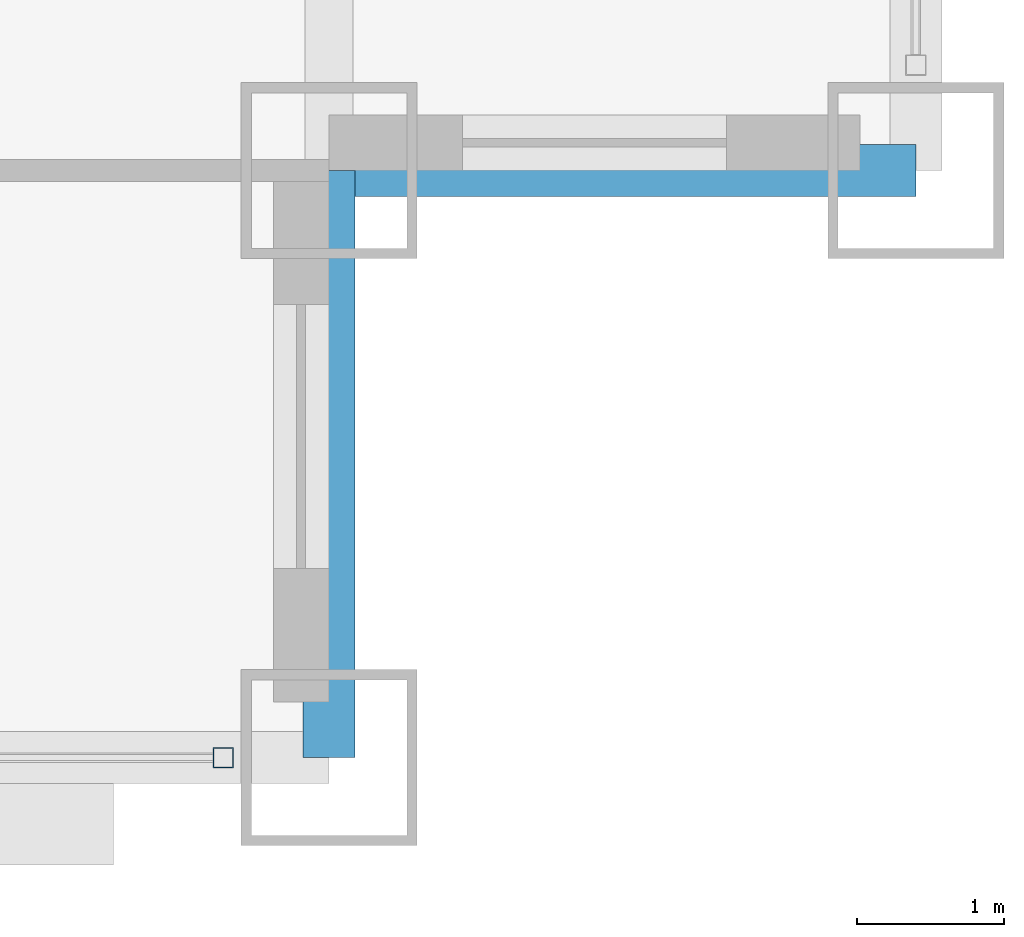
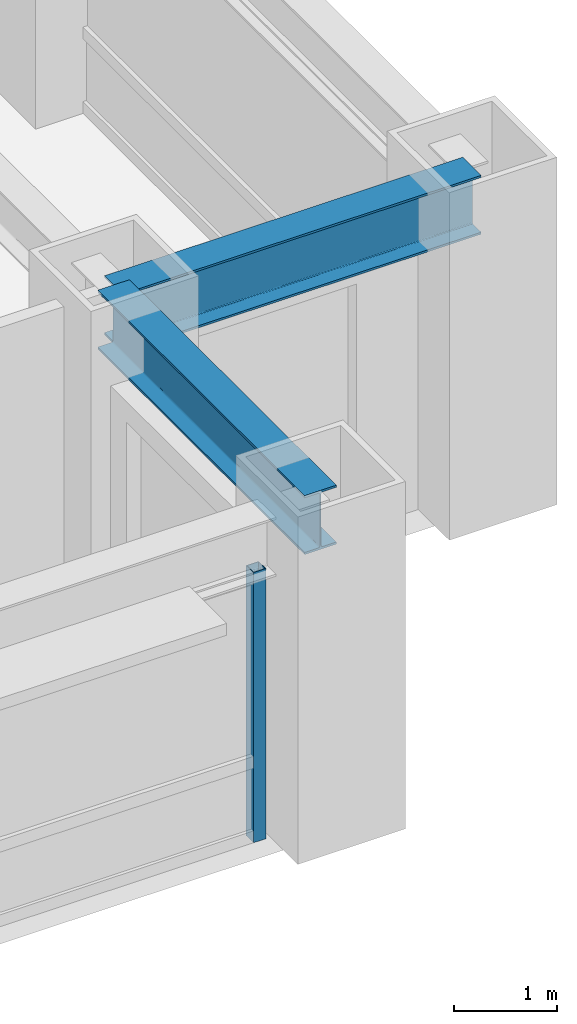
# One storey, part 6 of 32: 2 beams, 1 member, 1 element without a shape of its own.
"""IFC4 building model written with IfcOpenShell, lengths in metres."""

import ifcopenshell
import ifcopenshell.guid

model = None  # the IFC model being written
_history = None  # IfcOwnerHistory: only IFC2X3 demands one
_inside = {}  # id of a spatial element -> (the spatial element, [elements in it])
_under = {}  # id of a project, library or spatial element -> (it, [spatial elements below it])
_declared = {}  # id of a project -> (the project, [libraries it declares])
_typed = {}  # id of a type object -> (the type object, [elements of that type])
_made_of = {}  # id of a material, layer set ... -> (it, [elements and type objects made of it])


def new_model(schema):
    """Start an empty IFC model of exactly this schema.

    Asked for "IFC4X3", IfcOpenShell would pick the latest addendum, in which some entities
    have other attributes; the version numbers below select the first issue.
    IFC2X3 requires an IfcOwnerHistory on every rooted entity: one is made here for all.
    """
    global model, _history
    if schema == "IFC4X3":
        model = ifcopenshell.file(schema_version=(4, 3, 0, 0))
    else:
        model = ifcopenshell.file(schema=schema)
    _inside.clear()
    _under.clear()
    _declared.clear()
    _typed.clear()
    _made_of.clear()
    _history = None
    if model.schema == "IFC2X3":
        org = make("IfcOrganization", Name="unknown")
        user = make(
            "IfcPersonAndOrganization",
            ThePerson=make("IfcPerson", FamilyName="unknown"),
            TheOrganization=org,
        )
        app = make(
            "IfcApplication",
            ApplicationDeveloper=org,
            Version="unknown",
            ApplicationFullName="unknown",
            ApplicationIdentifier="unknown",
        )
        _history = make(
            "IfcOwnerHistory",
            OwningUser=user,
            OwningApplication=app,
            ChangeAction="ADDED",
            CreationDate=0,
        )
    return model


def make(cls, **values):
    """One entity of the class cls with the attributes given. An attribute that is None is left unset."""
    return model.create_entity(
        cls, **{name: value for name, value in values.items() if value is not None}
    )


def rooted(cls, **values):
    """An entity with a GlobalId (a new one), such as an element, a storey or a relation."""
    return make(cls, GlobalId=ifcopenshell.guid.new(), OwnerHistory=_history, **values)


def si_unit(unit_type, name, prefix=None):
    """IfcSIUnit, for example si_unit("LENGTHUNIT", "METRE", prefix="MILLI")."""
    return make("IfcSIUnit", UnitType=unit_type, Prefix=prefix, Name=name)


def assignment(units):
    """IfcUnitAssignment: the units of a project."""
    return None if units is None else make("IfcUnitAssignment", Units=units)


def point(xyz):
    """IfcCartesianPoint."""
    return None if xyz is None else make("IfcCartesianPoint", Coordinates=xyz)


def direction(xyz):
    """IfcDirection."""
    return None if xyz is None else make("IfcDirection", DirectionRatios=xyz)


def frame(location, z_axis=None, x_axis=None):
    """IfcAxis2Placement3D, a coordinate frame: its origin and axes. An axis left out is left unset."""
    return make(
        "IfcAxis2Placement3D",
        Location=point(location),
        Axis=direction(z_axis),
        RefDirection=direction(x_axis),
    )


def frame_2d(location, x_axis=None):
    """IfcAxis2Placement2D, a coordinate frame in the plane: its origin and x axis."""
    return make(
        "IfcAxis2Placement2D", Location=point(location), RefDirection=direction(x_axis)
    )


def origin():
    """The frame at (0, 0, 0) with its axes left unset."""
    return frame((0.0, 0.0, 0.0))


def origin_2d():
    """The frame at (0, 0) in the plane with its x axis left unset."""
    return frame_2d((0.0, 0.0))


def place(relative_to, where):
    """IfcLocalPlacement: puts the frame where relative to a parent placement (None: the world)."""
    return make(
        "IfcLocalPlacement", PlacementRelTo=relative_to, RelativePlacement=where
    )


def context(
    kind, dimensions, precision=None, world=None, true_north=None, identifier=None
):
    """IfcGeometricRepresentationContext, for example the 3D "Model" context."""
    return make(
        "IfcGeometricRepresentationContext",
        ContextIdentifier=identifier,
        ContextType=kind,
        CoordinateSpaceDimension=dimensions,
        Precision=precision,
        WorldCoordinateSystem=world,
        TrueNorth=true_north,
    )


def subcontext(parent, identifier, kind, view, scale=None):
    """IfcGeometricRepresentationSubContext, for example "Body" below "Model"."""
    return make(
        "IfcGeometricRepresentationSubContext",
        ContextIdentifier=identifier,
        ContextType=kind,
        ParentContext=parent,
        TargetScale=scale,
        TargetView=view,
    )


def project(units=None, contexts=None):
    """IfcProject with its units and contexts."""
    return rooted(
        "IfcProject",
        Name="project",
        RepresentationContexts=contexts,
        UnitsInContext=assignment(units),
    )


def spatial(cls, under=None, at=None, **own):
    """A site, building, storey or space (cls), placed at a placement, below another one or the project."""
    s = rooted(cls, ObjectPlacement=at, **own)
    if under is not None:
        _under.setdefault(under.id(), (under, []))[1].append(s)
    return s


def profile(cls, at=None, kind="AREA", **sizes):
    """A parametric profile (cls). Its sizes go by their IFC names, for example OverallWidth=200.0."""
    return make(cls, ProfileType=kind, Position=at, **sizes)


def hollow_rectangle(**sizes):
    """IfcRectangleHollowProfileDef."""
    return profile("IfcRectangleHollowProfileDef", **sizes)


def i_section(**sizes):
    """IfcIShapeProfileDef."""
    return profile("IfcIShapeProfileDef", **sizes)


def extrude(swept, where, along, depth):
    """IfcExtrudedAreaSolid: the profile swept, set in the frame where, extruded along a direction by depth."""
    return make(
        "IfcExtrudedAreaSolid",
        SweptArea=swept,
        Position=where,
        ExtrudedDirection=direction(along),
        Depth=depth,
    )


def shape(context_of_items, identifier, shape_type, items):
    """IfcShapeRepresentation: the items that make up one representation, for example the "Body"."""
    return make(
        "IfcShapeRepresentation",
        ContextOfItems=context_of_items,
        RepresentationIdentifier=identifier,
        RepresentationType=shape_type,
        Items=items,
    )


def source(mapping_origin, context_of_items, identifier, shape_type, items):
    """IfcRepresentationMap: a shape defined once, which mapped items show again and again."""
    return make(
        "IfcRepresentationMap",
        MappingOrigin=mapping_origin,
        MappedRepresentation=shape(context_of_items, identifier, shape_type, items),
    )


def transform(
    local_origin,
    x_axis=None,
    y_axis=None,
    z_axis=None,
    scale=None,
    scale2=None,
    scale3=None,
    uniform=True,
):
    """IfcCartesianTransformationOperator3D, or its non-uniform kind. x_axis, y_axis, z_axis: its Axis1, 2, 3."""
    if uniform:
        return make(
            "IfcCartesianTransformationOperator3D",
            Axis1=direction(x_axis),
            Axis2=direction(y_axis),
            LocalOrigin=point(local_origin),
            Scale=scale,
            Axis3=direction(z_axis),
        )
    return make(
        "IfcCartesianTransformationOperator3DnonUniform",
        Axis1=direction(x_axis),
        Axis2=direction(y_axis),
        LocalOrigin=point(local_origin),
        Scale=scale,
        Axis3=direction(z_axis),
        Scale2=scale2,
        Scale3=scale3,
    )


def mapped(mapping_source, mapping_target):
    """IfcMappedItem: shows the shape of a source again, moved by a transform."""
    return make(
        "IfcMappedItem", MappingSource=mapping_source, MappingTarget=mapping_target
    )


def material(Name=None, Category=None):
    """IfcMaterial."""
    return make("IfcMaterial", Name=Name, Category=Category)


def material_profile(
    of_material, cross_section, Name=None, Category=None, Priority=None
):
    """IfcMaterialProfile: a cross section and its material."""
    return make(
        "IfcMaterialProfile",
        Name=Name,
        Material=of_material,
        Profile=cross_section,
        Priority=Priority,
        Category=Category,
    )


def profile_set(profiles, Name=None, composite=None):
    """IfcMaterialProfileSet."""
    return make(
        "IfcMaterialProfileSet",
        Name=Name,
        MaterialProfiles=profiles,
        CompositeProfile=composite,
    )


def made_of(thing, what):
    """Note that an element or type object is made of a material, layer set ...; save() writes the relation."""
    if what is not None:
        _made_of.setdefault(what.id(), (what, []))[1].append(thing)
    return thing


def type_object(cls, material=None, **own):
    """A type object (cls), such as IfcWallType, which elements share."""
    return made_of(rooted(cls, **own), material)


def element(
    cls,
    number,
    at=None,
    inside=None,
    cuts=None,
    type_object=None,
    material=None,
    context=None,
    identifier="Body",
    shape_type=None,
    held_by="IfcProductDefinitionShape",
    body=None,
    shapes=None,
    **own,
):
    """One element of the class cls, such as IfcWall. Its Tag is "e" and its number.

    at: its placement. inside: the storey or other place that contains it. cuts: it is an
    opening in that element (IfcRelVoidsElement). A single representation is given by context,
    identifier, shape_type and body (its items); several are given by shapes. held_by: the class
    of the entity that holds the representations. save() writes the other relations.
    """
    e = rooted(cls, Tag="e%d" % number, ObjectPlacement=at, **own)
    if body is not None:
        shapes = [shape(context, identifier, shape_type, body)]
    if shapes is not None:
        e.Representation = make(held_by, Representations=shapes)
    if inside is not None:
        _inside.setdefault(inside.id(), (inside, []))[1].append(e)
    if cuts is not None:
        rooted(
            "IfcRelVoidsElement", RelatingBuildingElement=cuts, RelatedOpeningElement=e
        )
    if type_object is not None:
        _typed.setdefault(type_object.id(), (type_object, []))[1].append(e)
    return made_of(e, material)


def aggregate(whole, parts):
    """IfcRelAggregates: a whole, such as a stair, and the parts it consists of."""
    return rooted("IfcRelAggregates", RelatingObject=whole, RelatedObjects=parts)


def save(model, path):
    """Write the relations noted so far, then the file.

    IfcRelAggregates (storeys below a building ...), IfcRelContainedInSpatialStructure (elements
    in a storey), IfcRelDefinesByType, IfcRelAssociatesMaterial and IfcRelDeclares: one each for
    every whole, place, type object, material and project.
    """
    for whole, parts in _under.values():
        aggregate(whole, parts)
    for where, things in _inside.values():
        rooted(
            "IfcRelContainedInSpatialStructure",
            RelatedElements=things,
            RelatingStructure=where,
        )
    for kind, things in _typed.values():
        rooted("IfcRelDefinesByType", RelatedObjects=things, RelatingType=kind)
    for what, things in _made_of.values():
        rooted("IfcRelAssociatesMaterial", RelatedObjects=things, RelatingMaterial=what)
    for by, libraries in _declared.values():
        rooted("IfcRelDeclares", RelatingContext=by, RelatedDefinitions=libraries)
    model.write(path)


model = new_model("IFC4")

# Units and contexts
model_context = context("Model", 3, precision=1e-05, world=origin(), true_north=direction((0.0, 1.0)))
body_context = subcontext(model_context, "Body", "Model", "MODEL_VIEW")
ifc_project = project(units=[si_unit("LENGTHUNIT", "METRE"), si_unit("AREAUNIT", "SQUARE_METRE"), si_unit("VOLUMEUNIT", "CUBIC_METRE"), si_unit("PLANEANGLEUNIT", "RADIAN"), si_unit("MASSUNIT", "GRAM", prefix="KILO")], contexts=[model_context])

# Site, building, storey
site_placement = place(None, origin())
site = spatial("IfcSite", under=ifc_project, at=site_placement, CompositionType="ELEMENT")
building_placement = place(site_placement, origin())
building = spatial("IfcBuilding", under=site, at=building_placement, Name="Khorayat Bourse Tower", CompositionType="ELEMENT")
storey_placement = place(building_placement, frame((0.0, 0.0, 128.300048828125)))
storey = spatial("IfcBuildingStorey", under=building, at=storey_placement, Name="L29", CompositionType="ELEMENT", Elevation=128.300048828125)

# Beams
ifc_material_1 = material(Name="Steel ASTM A992 Grade 50", Category="steel")
ifc_material_profile_1 = material_profile(ifc_material_1, i_section(OverallWidth=0.35498046875, OverallDepth=0.695068359375, WebThickness=0.015380859375, FlangeThickness=0.02490234375, FilletRadius=0.01806640625, at=origin_2d()), Name="W690X217")
ifc_profile_set_1 = profile_set([ifc_material_profile_1], Name="Steel ASTM A992 Grade 50")
beam_type = type_object("IfcBeamType", Name="BM-SPAN-690", PredefinedType="SPANDREL", material=ifc_profile_set_1)
shared_shape_1 = source(origin(), body_context, "Body", "SweptSolid", [
    extrude(i_section(OverallWidth=0.35498046875, OverallDepth=0.695068359375, WebThickness=0.015380859375, FlangeThickness=0.02490234375, FilletRadius=0.01806640625, at=origin_2d()), origin(), (0.0, 0.0, 1.0), 4.0),
])
for number, where, z_axis, x_axis, name in (
    (1, (28.0, -32.0, 3.492431640625), (0.0, 1.0, 0.0), (-1.0, 0.0, 0.0), "L29 BM-SPAN-690 BM-L29-SPN-032"),
    (2, (28.0, -28.0, 3.492431640625), (1.0, 0.0, 0.0), (0.0, 1.0, 0.0), "L29 BM-SPAN-690 BM-L29-SPN-033"),
):
    element("IfcBeam", number, at=place(storey_placement, frame(where, z_axis=z_axis, x_axis=x_axis)), inside=storey, type_object=beam_type, Name=name, PredefinedType="SPANDREL", context=body_context, shape_type="MappedRepresentation", body=[
        mapped(shared_shape_1, transform((0.0, 0.0, 0.0), scale=1.0)),
    ])

# Curtain wall, member
ifc_material_2 = material(Name="Aluminium EN AW-6063 T6", Category="aluminium")
curtain_wall_type = type_object("IfcCurtainWallType", Name="CW-SYS-02", PredefinedType="NOTDEFINED", material=ifc_material_2)
curtain_wall_placement = place(storey_placement, origin())
curtain_wall = element("IfcCurtainWall", 3, at=curtain_wall_placement, inside=storey, type_object=curtain_wall_type, Name="L29 Curtain Wall CW-L29-S1", PredefinedType="NOTDEFINED")
ifc_material_profile_2 = material_profile(ifc_material_2, hollow_rectangle(XDim=0.139892578125, YDim=0.139892578125, WallThickness=0.006103515625, at=origin_2d()), Name="ALU 140x140x6")
ifc_profile_set_2 = profile_set([ifc_material_profile_2], Name="Aluminium EN AW-6063 T6")
member_type = type_object("IfcMemberType", Name="CWM-VERT-140", PredefinedType="MULLION", material=ifc_profile_set_2)
shared_shape_2 = source(origin(), body_context, "Body", "SweptSolid", [
    extrude(hollow_rectangle(XDim=0.139892578125, YDim=0.139892578125, WallThickness=0.006103515625, at=origin_2d()), origin(), (0.0, 0.0, 1.0), 3.18994140625),
])
member_placement = place(storey_placement, frame((27.280029296875, -32.0, 0.0), z_axis=(0.0, 0.0, 1.0), x_axis=(0.0, 1.0, 0.0)))
member = element("IfcMember", 4, at=member_placement, type_object=member_type, Name="CW-L29-S1 Vertical Mullion 3", PredefinedType="MULLION", context=body_context, shape_type="MappedRepresentation", body=[
    mapped(shared_shape_2, transform((0.0, 0.0, 0.0), scale=1.0)),
])
aggregate(curtain_wall, [member])

save(model, "model.ifc")
